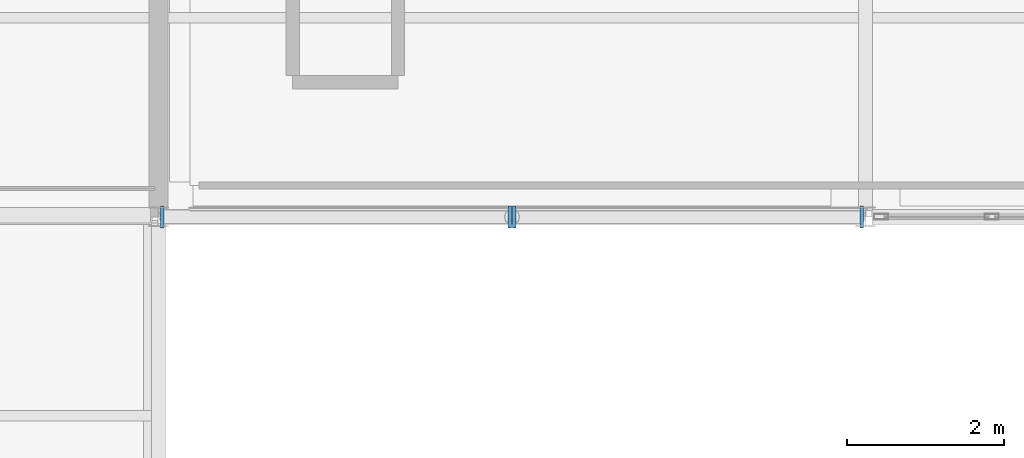
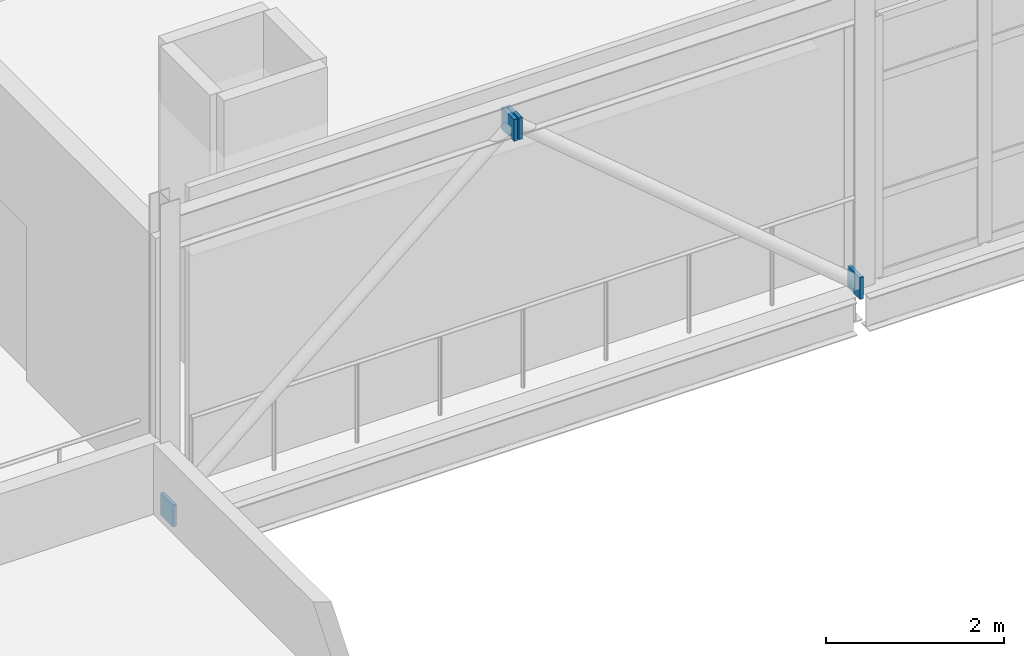
# One storey, part 78 of 96: 4 plates.
"""IFC4 building model written with IfcOpenShell, lengths in metres."""

from ifc_helpers import new_model, si_unit, direction, frame, origin, origin_2d, place, context, subcontext, project, spatial, rectangle, extrude, material, layer, layer_set, type_object, element, save


model = new_model("IFC4")

# Units and contexts
model_context = context("Model", 3, precision=1e-05, world=origin(), true_north=direction((0.0, 1.0)))
body_context = subcontext(model_context, "Body", "Model", "MODEL_VIEW")
ifc_project = project(units=[si_unit("LENGTHUNIT", "METRE"), si_unit("AREAUNIT", "SQUARE_METRE"), si_unit("VOLUMEUNIT", "CUBIC_METRE"), si_unit("PLANEANGLEUNIT", "RADIAN"), si_unit("MASSUNIT", "GRAM", prefix="KILO")], contexts=[model_context])

# Site, building, storey
site_placement = place(None, origin())
site = spatial("IfcSite", under=ifc_project, at=site_placement, CompositionType="ELEMENT")
building_placement = place(site_placement, origin())
building = spatial("IfcBuilding", under=site, at=building_placement, Name="Caisbarro Railhouse Central Library", CompositionType="ELEMENT")
storey_placement = place(building_placement, frame((0.0, 0.0, 13.679931640625)))
storey = spatial("IfcBuildingStorey", under=building, at=storey_placement, Name="L03", CompositionType="ELEMENT", Elevation=13.679931640625)

# Plates
ifc_material = material(Name="Steel ASTM A572 Grade 50", Category="steel")
ifc_layer = layer(ifc_material, 0.044921875, Name="Steel ASTM A572 Grade 50")
ifc_layer_set = layer_set([ifc_layer], Name="Steel ASTM A572 Grade 50")
plate_type = type_object("IfcPlateType", Name="PLT-EP01", PredefinedType="SHEET", material=ifc_layer_set)
for number, where, z_axis, x_axis, name in (
    (1, (63.05078125, 83.60009765625, -0.1376953125), (0.0, 0.0, 1.0), (1.0, 0.0, 0.0), "EP01 end cap plate"),
    (2, (67.46923828125, 83.60009765625, 3.59765625), (0.0, 0.0, 1.0), (1.0, 0.0, 0.0), "EP01 end cap plate"),
    (3, (71.94921875, 83.60009765625, -0.1376953125), (0.0, 0.0, 1.0), (-1.0, 0.0, 0.0), "EP01 end cap plate"),
    (4, (67.53076171875, 83.60009765625, 3.59765625), (0.0, 0.0, 1.0), (-1.0, 0.0, 0.0), "EP01 end cap plate"),
):
    element("IfcPlate", number, at=place(storey_placement, frame(where, z_axis=z_axis, x_axis=x_axis)), inside=storey, type_object=plate_type, Name=name, PredefinedType="SHEET", context=body_context, shape_type="SweptSolid", body=[
        extrude(rectangle(XDim=0.044921875, YDim=0.280029296875, at=origin_2d()), origin(), (0.0, 0.0, 1.0), 0.300048828125),
    ])

save(model, "model.ifc")
